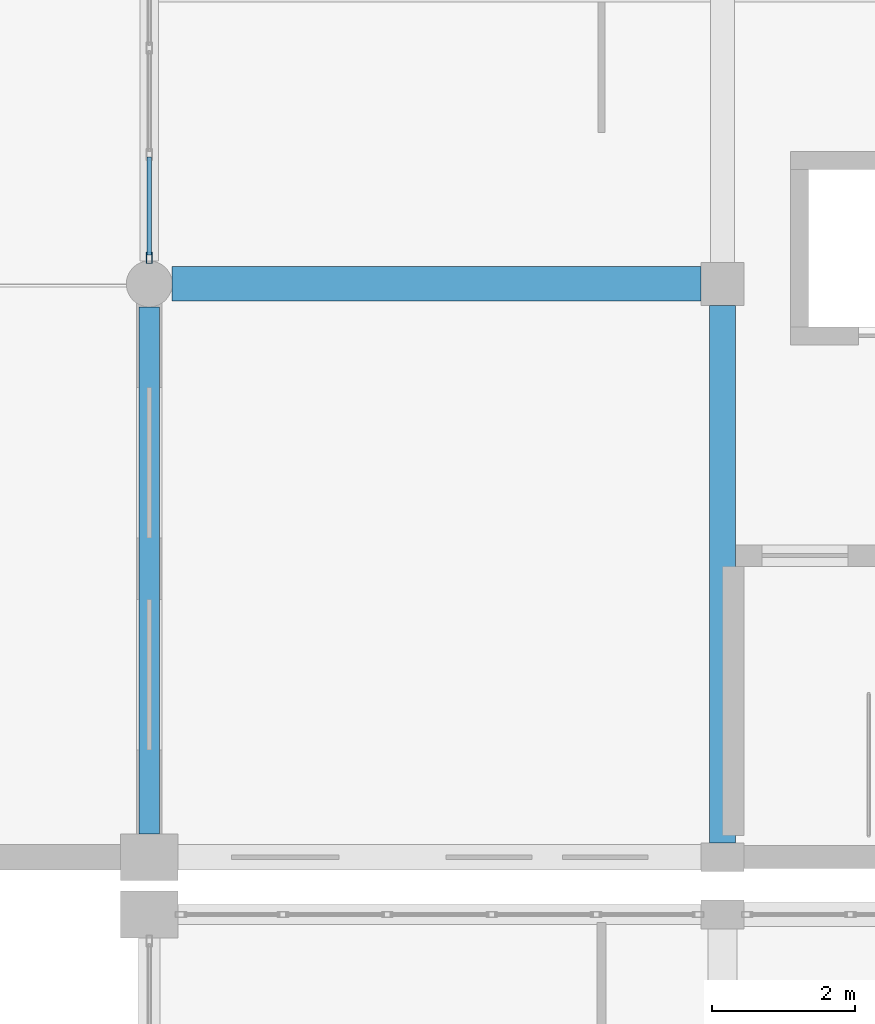
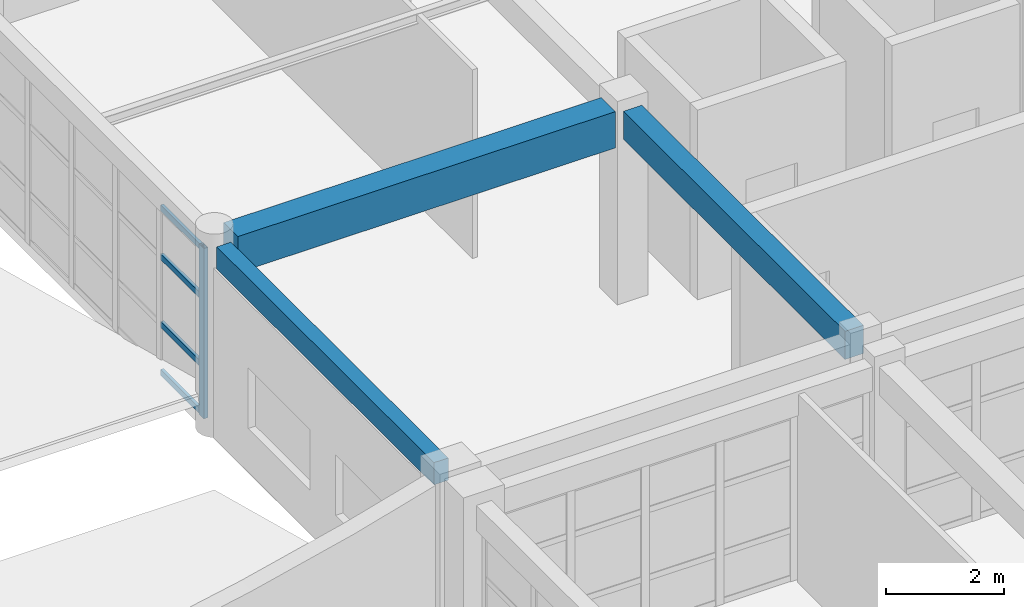
# One storey, part 27 of 121: 5 members, 3 beams, 1 element without a shape of its own.
"""IFC4 building model written with IfcOpenShell, lengths in metres."""

import ifcopenshell
import ifcopenshell.guid

model = None  # the IFC model being written
_history = None  # IfcOwnerHistory: only IFC2X3 demands one
_inside = {}  # id of a spatial element -> (the spatial element, [elements in it])
_under = {}  # id of a project, library or spatial element -> (it, [spatial elements below it])
_declared = {}  # id of a project -> (the project, [libraries it declares])
_typed = {}  # id of a type object -> (the type object, [elements of that type])
_made_of = {}  # id of a material, layer set ... -> (it, [elements and type objects made of it])


def new_model(schema):
    """Start an empty IFC model of exactly this schema.

    Asked for "IFC4X3", IfcOpenShell would pick the latest addendum, in which some entities
    have other attributes; the version numbers below select the first issue.
    IFC2X3 requires an IfcOwnerHistory on every rooted entity: one is made here for all.
    """
    global model, _history
    if schema == "IFC4X3":
        model = ifcopenshell.file(schema_version=(4, 3, 0, 0))
    else:
        model = ifcopenshell.file(schema=schema)
    _inside.clear()
    _under.clear()
    _declared.clear()
    _typed.clear()
    _made_of.clear()
    _history = None
    if model.schema == "IFC2X3":
        org = make("IfcOrganization", Name="unknown")
        user = make(
            "IfcPersonAndOrganization",
            ThePerson=make("IfcPerson", FamilyName="unknown"),
            TheOrganization=org,
        )
        app = make(
            "IfcApplication",
            ApplicationDeveloper=org,
            Version="unknown",
            ApplicationFullName="unknown",
            ApplicationIdentifier="unknown",
        )
        _history = make(
            "IfcOwnerHistory",
            OwningUser=user,
            OwningApplication=app,
            ChangeAction="ADDED",
            CreationDate=0,
        )
    return model


def make(cls, **values):
    """One entity of the class cls with the attributes given. An attribute that is None is left unset."""
    return model.create_entity(
        cls, **{name: value for name, value in values.items() if value is not None}
    )


def rooted(cls, **values):
    """An entity with a GlobalId (a new one), such as an element, a storey or a relation."""
    return make(cls, GlobalId=ifcopenshell.guid.new(), OwnerHistory=_history, **values)


def si_unit(unit_type, name, prefix=None):
    """IfcSIUnit, for example si_unit("LENGTHUNIT", "METRE", prefix="MILLI")."""
    return make("IfcSIUnit", UnitType=unit_type, Prefix=prefix, Name=name)


def assignment(units):
    """IfcUnitAssignment: the units of a project."""
    return None if units is None else make("IfcUnitAssignment", Units=units)


def point(xyz):
    """IfcCartesianPoint."""
    return None if xyz is None else make("IfcCartesianPoint", Coordinates=xyz)


def direction(xyz):
    """IfcDirection."""
    return None if xyz is None else make("IfcDirection", DirectionRatios=xyz)


def frame(location, z_axis=None, x_axis=None):
    """IfcAxis2Placement3D, a coordinate frame: its origin and axes. An axis left out is left unset."""
    return make(
        "IfcAxis2Placement3D",
        Location=point(location),
        Axis=direction(z_axis),
        RefDirection=direction(x_axis),
    )


def frame_2d(location, x_axis=None):
    """IfcAxis2Placement2D, a coordinate frame in the plane: its origin and x axis."""
    return make(
        "IfcAxis2Placement2D", Location=point(location), RefDirection=direction(x_axis)
    )


def origin():
    """The frame at (0, 0, 0) with its axes left unset."""
    return frame((0.0, 0.0, 0.0))


def origin_2d():
    """The frame at (0, 0) in the plane with its x axis left unset."""
    return frame_2d((0.0, 0.0))


def place(relative_to, where):
    """IfcLocalPlacement: puts the frame where relative to a parent placement (None: the world)."""
    return make(
        "IfcLocalPlacement", PlacementRelTo=relative_to, RelativePlacement=where
    )


def context(
    kind, dimensions, precision=None, world=None, true_north=None, identifier=None
):
    """IfcGeometricRepresentationContext, for example the 3D "Model" context."""
    return make(
        "IfcGeometricRepresentationContext",
        ContextIdentifier=identifier,
        ContextType=kind,
        CoordinateSpaceDimension=dimensions,
        Precision=precision,
        WorldCoordinateSystem=world,
        TrueNorth=true_north,
    )


def subcontext(parent, identifier, kind, view, scale=None):
    """IfcGeometricRepresentationSubContext, for example "Body" below "Model"."""
    return make(
        "IfcGeometricRepresentationSubContext",
        ContextIdentifier=identifier,
        ContextType=kind,
        ParentContext=parent,
        TargetScale=scale,
        TargetView=view,
    )


def project(units=None, contexts=None):
    """IfcProject with its units and contexts."""
    return rooted(
        "IfcProject",
        Name="project",
        RepresentationContexts=contexts,
        UnitsInContext=assignment(units),
    )


def spatial(cls, under=None, at=None, **own):
    """A site, building, storey or space (cls), placed at a placement, below another one or the project."""
    s = rooted(cls, ObjectPlacement=at, **own)
    if under is not None:
        _under.setdefault(under.id(), (under, []))[1].append(s)
    return s


def profile(cls, at=None, kind="AREA", **sizes):
    """A parametric profile (cls). Its sizes go by their IFC names, for example OverallWidth=200.0."""
    return make(cls, ProfileType=kind, Position=at, **sizes)


def rectangle(**sizes):
    """IfcRectangleProfileDef."""
    return profile("IfcRectangleProfileDef", **sizes)


def hollow_rectangle(**sizes):
    """IfcRectangleHollowProfileDef."""
    return profile("IfcRectangleHollowProfileDef", **sizes)


def extrude(swept, where, along, depth):
    """IfcExtrudedAreaSolid: the profile swept, set in the frame where, extruded along a direction by depth."""
    return make(
        "IfcExtrudedAreaSolid",
        SweptArea=swept,
        Position=where,
        ExtrudedDirection=direction(along),
        Depth=depth,
    )


def shape(context_of_items, identifier, shape_type, items):
    """IfcShapeRepresentation: the items that make up one representation, for example the "Body"."""
    return make(
        "IfcShapeRepresentation",
        ContextOfItems=context_of_items,
        RepresentationIdentifier=identifier,
        RepresentationType=shape_type,
        Items=items,
    )


def material(Name=None, Category=None):
    """IfcMaterial."""
    return make("IfcMaterial", Name=Name, Category=Category)


def material_profile(
    of_material, cross_section, Name=None, Category=None, Priority=None
):
    """IfcMaterialProfile: a cross section and its material."""
    return make(
        "IfcMaterialProfile",
        Name=Name,
        Material=of_material,
        Profile=cross_section,
        Priority=Priority,
        Category=Category,
    )


def profile_set(profiles, Name=None, composite=None):
    """IfcMaterialProfileSet."""
    return make(
        "IfcMaterialProfileSet",
        Name=Name,
        MaterialProfiles=profiles,
        CompositeProfile=composite,
    )


def made_of(thing, what):
    """Note that an element or type object is made of a material, layer set ...; save() writes the relation."""
    if what is not None:
        _made_of.setdefault(what.id(), (what, []))[1].append(thing)
    return thing


def type_object(cls, material=None, **own):
    """A type object (cls), such as IfcWallType, which elements share."""
    return made_of(rooted(cls, **own), material)


def element(
    cls,
    number,
    at=None,
    inside=None,
    cuts=None,
    type_object=None,
    material=None,
    context=None,
    identifier="Body",
    shape_type=None,
    held_by="IfcProductDefinitionShape",
    body=None,
    shapes=None,
    **own,
):
    """One element of the class cls, such as IfcWall. Its Tag is "e" and its number.

    at: its placement. inside: the storey or other place that contains it. cuts: it is an
    opening in that element (IfcRelVoidsElement). A single representation is given by context,
    identifier, shape_type and body (its items); several are given by shapes. held_by: the class
    of the entity that holds the representations. save() writes the other relations.
    """
    e = rooted(cls, Tag="e%d" % number, ObjectPlacement=at, **own)
    if body is not None:
        shapes = [shape(context, identifier, shape_type, body)]
    if shapes is not None:
        e.Representation = make(held_by, Representations=shapes)
    if inside is not None:
        _inside.setdefault(inside.id(), (inside, []))[1].append(e)
    if cuts is not None:
        rooted(
            "IfcRelVoidsElement", RelatingBuildingElement=cuts, RelatedOpeningElement=e
        )
    if type_object is not None:
        _typed.setdefault(type_object.id(), (type_object, []))[1].append(e)
    return made_of(e, material)


def aggregate(whole, parts):
    """IfcRelAggregates: a whole, such as a stair, and the parts it consists of."""
    return rooted("IfcRelAggregates", RelatingObject=whole, RelatedObjects=parts)


def save(model, path):
    """Write the relations noted so far, then the file.

    IfcRelAggregates (storeys below a building ...), IfcRelContainedInSpatialStructure (elements
    in a storey), IfcRelDefinesByType, IfcRelAssociatesMaterial and IfcRelDeclares: one each for
    every whole, place, type object, material and project.
    """
    for whole, parts in _under.values():
        aggregate(whole, parts)
    for where, things in _inside.values():
        rooted(
            "IfcRelContainedInSpatialStructure",
            RelatedElements=things,
            RelatingStructure=where,
        )
    for kind, things in _typed.values():
        rooted("IfcRelDefinesByType", RelatedObjects=things, RelatingType=kind)
    for what, things in _made_of.values():
        rooted("IfcRelAssociatesMaterial", RelatedObjects=things, RelatingMaterial=what)
    for by, libraries in _declared.values():
        rooted("IfcRelDeclares", RelatingContext=by, RelatedDefinitions=libraries)
    model.write(path)


model = new_model("IFC4")

# Units and contexts
model_context = context("Model", 3, precision=1e-05, world=origin(), true_north=direction((0.0, 1.0)))
body_context = subcontext(model_context, "Body", "Model", "MODEL_VIEW")
ifc_project = project(units=[si_unit("LENGTHUNIT", "METRE"), si_unit("AREAUNIT", "SQUARE_METRE"), si_unit("VOLUMEUNIT", "CUBIC_METRE"), si_unit("PLANEANGLEUNIT", "RADIAN"), si_unit("MASSUNIT", "GRAM", prefix="KILO")], contexts=[model_context])

# Site, building, storey
site_placement = place(None, origin())
site = spatial("IfcSite", under=ifc_project, at=site_placement, CompositionType="ELEMENT")
building_placement = place(site_placement, origin())
building = spatial("IfcBuilding", under=site, at=building_placement, Name="Kharva Crest Polytechnic", CompositionType="ELEMENT")
storey_placement = place(building_placement, frame((0.0, 0.0, 13.199951171875)))
storey = spatial("IfcBuildingStorey", under=building, at=storey_placement, Name="L03", CompositionType="ELEMENT", Elevation=13.199951171875)

# Beams
ifc_material_1 = material(Name="Concrete C35/45", Category="concrete")
ifc_material_profile_1 = material_profile(ifc_material_1, rectangle(XDim=0.360107421875, YDim=0.580078125, at=origin_2d()), Name="RECT 360 X 580")
ifc_profile_set_1 = profile_set([ifc_material_profile_1], Name="Concrete C35/45")
beam_type_1 = type_object("IfcBeamType", Name="BM-RC-360X580", PredefinedType="BEAM", material=ifc_profile_set_1)
beam_1_placement = place(storey_placement, frame((40.0, 39.0, 3.670166015625), z_axis=(0.0, 1.0, 0.0), x_axis=(-1.0, 0.0, 0.0)))
element("IfcBeam", 1, at=beam_1_placement, inside=storey, type_object=beam_type_1, Name="L03 Girder 6/FJ-G", PredefinedType="BEAM", context=body_context, shape_type="SweptSolid", body=[
    extrude(rectangle(XDim=0.360107421875, YDim=0.580078125, at=origin_2d()), origin(), (0.0, 0.0, 1.0), 7.5),
])
ifc_material_profile_2 = material_profile(ifc_material_1, rectangle(XDim=0.47998046875, YDim=0.75, at=origin_2d()), Name="RECT 480 X 750")
ifc_profile_set_2 = profile_set([ifc_material_profile_2], Name="Concrete C35/45")
beam_type_2 = type_object("IfcBeamType", Name="BM-RC-480X750", PredefinedType="BEAM", material=ifc_profile_set_2)
beam_2_placement = place(storey_placement, frame((32.320068359375, 46.800048828125, 3.5849609375), z_axis=(1.0, 0.0, 0.0), x_axis=(0.0, 1.0, 0.0)))
element("IfcBeam", 2, at=beam_2_placement, inside=storey, type_object=beam_type_2, Name="L03 Beam G/5-6", PredefinedType="BEAM", context=body_context, shape_type="SweptSolid", body=[
    extrude(rectangle(XDim=0.47998046875, YDim=0.75, at=origin_2d()), origin(), (0.0, 0.0, 1.0), 7.3798828125),
])

# Curtain wall, members
ifc_material_2 = material(Name="Tempered insulated glass", Category="glass")
curtain_wall_type = type_object("IfcCurtainWallType", Name="CW-SYS-COURT", PredefinedType="USERDEFINED", material=ifc_material_2)
curtain_wall_placement = place(storey_placement, origin())
curtain_wall = element("IfcCurtainWall", 3, at=curtain_wall_placement, inside=storey, type_object=curtain_wall_type, Name="L03 Glazed Curtain Wall CW-168", ObjectType="CURTAIN WALL", PredefinedType="USERDEFINED")
ifc_material_3 = material(Name="Steel S355", Category="steel")
ifc_material_profile_3 = material_profile(ifc_material_3, hollow_rectangle(XDim=0.080078125, YDim=0.159912109375, WallThickness=0.0048828125, at=origin_2d()), Name="RHS 160X80X5.0")
ifc_profile_set_3 = profile_set([ifc_material_profile_3], Name="Steel S355")
member_type_1 = type_object("IfcMemberType", Name="CWM-RHS160X80", PredefinedType="MULLION", material=ifc_profile_set_3)
member_1_placement = place(storey_placement, frame((32.0, 47.1650390625, 0.0), z_axis=(0.0, 0.0, 1.0), x_axis=(1.0, 0.0, 0.0)))
member_1 = element("IfcMember", 4, at=member_1_placement, type_object=member_type_1, Name="CW-168 mullion 6", PredefinedType="MULLION", context=body_context, shape_type="SweptSolid", body=[
    extrude(hollow_rectangle(XDim=0.080078125, YDim=0.159912109375, WallThickness=0.0048828125, at=origin_2d()), origin(), (0.0, 0.0, 1.0), 3.52001953125),
])
ifc_material_profile_4 = material_profile(ifc_material_3, hollow_rectangle(XDim=0.06005859375, YDim=0.1201171875, WallThickness=0.00390625, at=origin_2d()), Name="RHS 120X60X4.0")
ifc_profile_set_4 = profile_set([ifc_material_profile_4], Name="Steel S355")
member_type_2 = type_object("IfcMemberType", Name="CWT-RHS120X60", PredefinedType="USERDEFINED", material=ifc_profile_set_4)
member_2_placement = place(storey_placement, frame((32.0, 48.569091796875, 0.06005859375), z_axis=(0.0, -1.0, 0.0), x_axis=(1.0, 0.0, 0.0)))
member_2 = element("IfcMember", 5, at=member_2_placement, type_object=member_type_2, Name="CW-168 transom 5.1", ObjectType="TRANSOM", PredefinedType="USERDEFINED", context=body_context, shape_type="SweptSolid", body=[
    extrude(hollow_rectangle(XDim=0.06005859375, YDim=0.1201171875, WallThickness=0.00390625, at=origin_2d()), origin(), (0.0, 0.0, 1.0), 1.364013671875),
])
member_3_placement = place(storey_placement, frame((32.0, 48.569091796875, 1.050048828125), z_axis=(0.0, -1.0, 0.0), x_axis=(1.0, 0.0, 0.0)))
member_3 = element("IfcMember", 6, at=member_3_placement, type_object=member_type_2, Name="CW-168 transom 5.2", ObjectType="TRANSOM", PredefinedType="USERDEFINED", context=body_context, shape_type="SweptSolid", body=[
    extrude(hollow_rectangle(XDim=0.06005859375, YDim=0.1201171875, WallThickness=0.00390625, at=origin_2d()), origin(), (0.0, 0.0, 1.0), 1.364013671875),
])
member_4_placement = place(storey_placement, frame((32.0, 48.569091796875, 2.449951171875), z_axis=(0.0, -1.0, 0.0), x_axis=(1.0, 0.0, 0.0)))
member_4 = element("IfcMember", 7, at=member_4_placement, type_object=member_type_2, Name="CW-168 transom 5.3", ObjectType="TRANSOM", PredefinedType="USERDEFINED", context=body_context, shape_type="SweptSolid", body=[
    extrude(hollow_rectangle(XDim=0.06005859375, YDim=0.1201171875, WallThickness=0.00390625, at=origin_2d()), origin(), (0.0, 0.0, 1.0), 1.364013671875),
])
member_5_placement = place(storey_placement, frame((32.0, 48.569091796875, 3.4599609375), z_axis=(0.0, -1.0, 0.0), x_axis=(1.0, 0.0, 0.0)))
member_5 = element("IfcMember", 8, at=member_5_placement, type_object=member_type_2, Name="CW-168 transom 5.4", ObjectType="TRANSOM", PredefinedType="USERDEFINED", context=body_context, shape_type="SweptSolid", body=[
    extrude(hollow_rectangle(XDim=0.06005859375, YDim=0.1201171875, WallThickness=0.00390625, at=origin_2d()), origin(), (0.0, 0.0, 1.0), 1.364013671875),
])
aggregate(curtain_wall, [member_1, member_2, member_3, member_4, member_5])

# Beam
ifc_material_profile_5 = material_profile(ifc_material_1, rectangle(XDim=0.280029296875, YDim=0.4599609375, at=origin_2d()), Name="RECT 280 X 460")
ifc_profile_set_5 = profile_set([ifc_material_profile_5], Name="Concrete C35/45")
beam_type_3 = type_object("IfcBeamType", Name="SP-RC-280X460", PredefinedType="SPANDREL", material=ifc_profile_set_5)
beam_3_placement = place(storey_placement, frame((32.0, 39.125, 3.72998046875), z_axis=(0.0, 1.0, 0.0), x_axis=(-1.0, 0.0, 0.0)))
element("IfcBeam", 9, at=beam_3_placement, inside=storey, type_object=beam_type_3, Name="L03 Girder 5/FJ-G", PredefinedType="SPANDREL", context=body_context, shape_type="SweptSolid", body=[
    extrude(rectangle(XDim=0.280029296875, YDim=0.4599609375, at=origin_2d()), origin(), (0.0, 0.0, 1.0), 7.35498046875),
])

save(model, "model.ifc")
